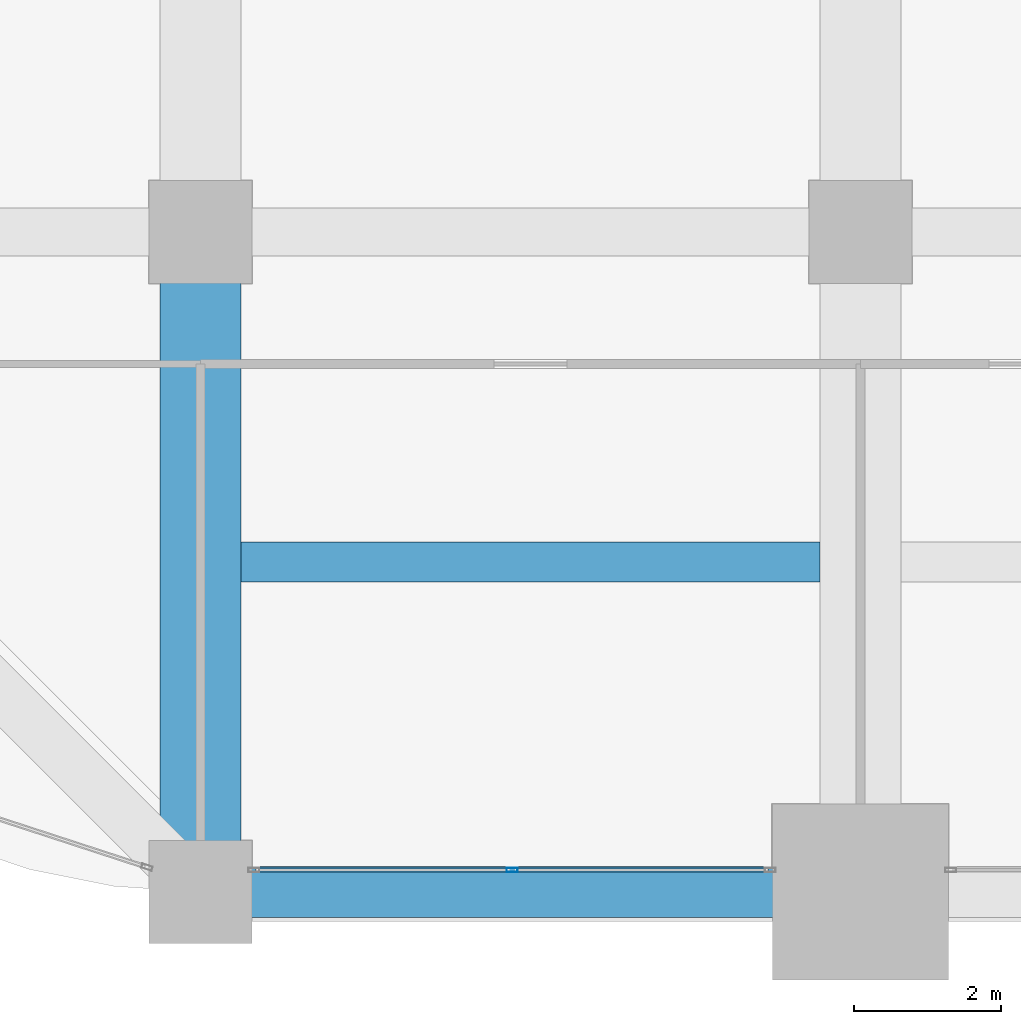
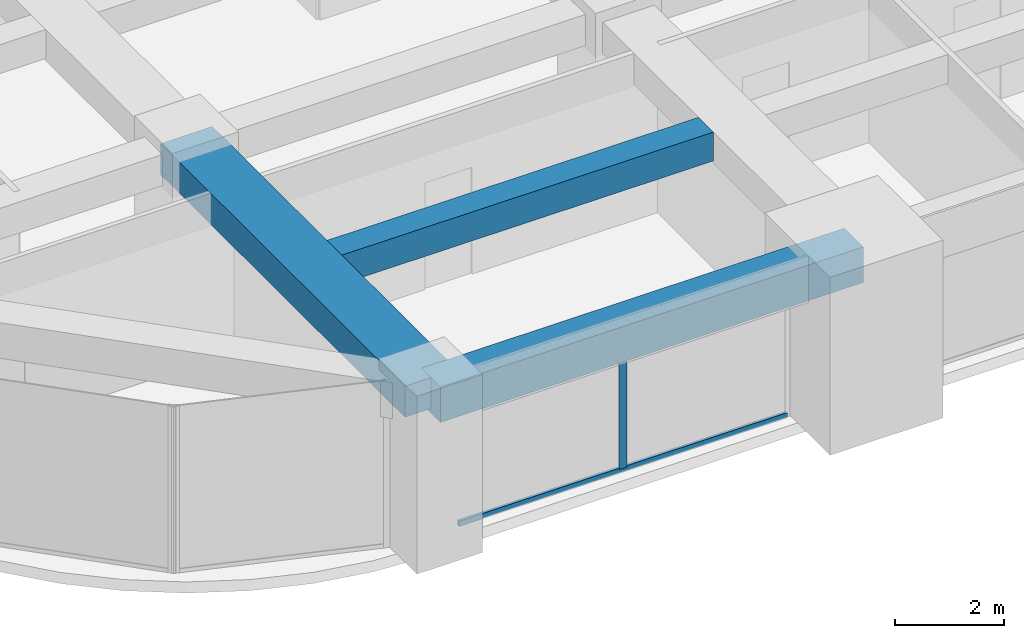
# One storey, part 3 of 34: 3 beams, 2 members, 1 element without a shape of its own.
"""IFC4 building model written with IfcOpenShell, lengths in metres."""

from ifc_helpers import new_model, si_unit, direction, frame, origin, origin_2d, place, context, subcontext, project, spatial, rectangle, hollow_rectangle, extrude, material, material_profile, profile_set, type_object, element, aggregate, save


model = new_model("IFC4")

# Units and contexts
model_context = context("Model", 3, precision=1e-05, world=origin(), true_north=direction((0.0, 1.0)))
body_context = subcontext(model_context, "Body", "Model", "MODEL_VIEW")
ifc_project = project(units=[si_unit("LENGTHUNIT", "METRE"), si_unit("AREAUNIT", "SQUARE_METRE"), si_unit("VOLUMEUNIT", "CUBIC_METRE"), si_unit("PLANEANGLEUNIT", "RADIAN"), si_unit("MASSUNIT", "GRAM", prefix="KILO")], contexts=[model_context])

# Site, building, storey
site_placement = place(None, origin())
site = spatial("IfcSite", under=ifc_project, at=site_placement, CompositionType="ELEMENT")
building_placement = place(site_placement, origin())
building = spatial("IfcBuilding", under=site, at=building_placement, Name="Zorevar Civic Tower", CompositionType="ELEMENT")
storey_placement = place(building_placement, frame((0.0, 0.0, 214.199951171875)))
storey = spatial("IfcBuildingStorey", under=building, at=storey_placement, Name="L52", CompositionType="ELEMENT", Elevation=214.199951171875)

# Beams
ifc_material_1 = material(Name="Concrete C50/60", Category="concrete")
ifc_material_profile_1 = material_profile(ifc_material_1, rectangle(XDim=1.10009765625, YDim=0.699951171875, at=origin_2d()), Name="RC 1100x700")
ifc_profile_set_1 = profile_set([ifc_material_profile_1], Name="Concrete C50/60")
beam_type_1 = type_object("IfcBeamType", Name="Beam RC 1100x700", PredefinedType="BEAM", material=ifc_profile_set_1)
beam_1_placement = place(storey_placement, frame((9.0, 0.0, 3.400146484375), z_axis=(0.0, 1.0, 0.0), x_axis=(-1.0, 0.0, 0.0)))
element("IfcBeam", 1, at=beam_1_placement, inside=storey, type_object=beam_type_1, Name="Girder L53", PredefinedType="BEAM", context=body_context, shape_type="SweptSolid", body=[
    extrude(rectangle(XDim=1.10009765625, YDim=0.699951171875, at=origin_2d()), origin(), (0.0, 0.0, 1.0), 9.0),
])
ifc_material_2 = material(Name="Concrete C50/60", Category="concrete")
ifc_material_profile_2 = material_profile(ifc_material_2, rectangle(XDim=0.550048828125, YDim=0.64990234375, at=origin_2d()), Name="RC 550x650")
ifc_profile_set_2 = profile_set([ifc_material_profile_2], Name="Concrete C50/60")
beam_type_2 = type_object("IfcBeamType", Name="Beam RC 550x650", PredefinedType="BEAM", material=ifc_profile_set_2)
beam_2_placement = place(storey_placement, frame((9.550048828125, 4.5, 3.425048828125), z_axis=(1.0, 0.0, 0.0), x_axis=(0.0, 1.0, 0.0)))
element("IfcBeam", 2, at=beam_2_placement, inside=storey, type_object=beam_type_2, Name="Secondary beam L53", PredefinedType="BEAM", context=body_context, shape_type="SweptSolid", body=[
    extrude(rectangle(XDim=0.550048828125, YDim=0.64990234375, at=origin_2d()), origin(), (0.0, 0.0, 1.0), 7.89990234375),
])

# Curtain wall, members
ifc_material_3 = material(Name="Dark grey solar-control glass in black aluminium frame", Category="aluminium")
curtain_wall_type = type_object("IfcCurtainWallType", Name="Curtain wall CW4 high zone", PredefinedType="NOTDEFINED", material=ifc_material_3)
curtain_wall_placement = place(storey_placement, origin())
curtain_wall = element("IfcCurtainWall", 3, at=curtain_wall_placement, inside=storey, type_object=curtain_wall_type, Name="CW4 L52", PredefinedType="NOTDEFINED")
ifc_material_4 = material(Name="Aluminium, black anodised", Category="aluminium")
ifc_material_profile_3 = material_profile(ifc_material_4, hollow_rectangle(XDim=0.06005859375, YDim=0.14990234375, WallThickness=0.00390625, at=origin_2d()), Name="AL 150x60x4")
ifc_profile_set_3 = profile_set([ifc_material_profile_3], Name="Aluminium, black anodised")
member_type_1 = type_object("IfcMemberType", Name="CW4 mullion AL 150x60x4", PredefinedType="MULLION", material=ifc_profile_set_3)
member_1_placement = place(storey_placement, frame((13.25, 0.300048828125, 0.06005859375), z_axis=(0.0, 0.0, 1.0), x_axis=(0.0, 1.0, 0.0)))
member_1 = element("IfcMember", 4, at=member_1_placement, type_object=member_type_1, Name="CW4 mullion 2", PredefinedType="MULLION", context=body_context, shape_type="SweptSolid", body=[
    extrude(hollow_rectangle(XDim=0.06005859375, YDim=0.14990234375, WallThickness=0.00390625, at=origin_2d()), origin(), (0.0, 0.0, 1.0), 2.889892578125),
])
ifc_material_5 = material(Name="Aluminium, black anodised", Category="aluminium")
ifc_material_profile_4 = material_profile(ifc_material_5, hollow_rectangle(XDim=0.06005859375, YDim=0.1201171875, WallThickness=0.0029296875, at=origin_2d()), Name="AL 120x60x3")
ifc_profile_set_4 = profile_set([ifc_material_profile_4], Name="Aluminium, black anodised")
member_type_2 = type_object("IfcMemberType", Name="CW4 transom AL 120x60x3", PredefinedType="USERDEFINED", material=ifc_profile_set_4)
member_2_placement = place(storey_placement, frame((9.760009765625, 0.300048828125, 0.030029296875), z_axis=(1.0, 0.0, 0.0), x_axis=(0.0, 1.0, 0.0)))
member_2 = element("IfcMember", 5, at=member_2_placement, type_object=member_type_2, Name="CW4 sill transom", ObjectType="TRANSOM", PredefinedType="USERDEFINED", context=body_context, shape_type="SweptSolid", body=[
    extrude(hollow_rectangle(XDim=0.06005859375, YDim=0.1201171875, WallThickness=0.0029296875, at=origin_2d()), origin(), (0.0, 0.0, 1.0), 6.97998046875),
])
aggregate(curtain_wall, [member_1, member_2])

# Beam
ifc_material_6 = material(Name="Concrete C50/60", Category="concrete")
ifc_material_profile_5 = material_profile(ifc_material_6, rectangle(XDim=0.699951171875, YDim=0.800048828125, at=origin_2d()), Name="RC 700x800")
ifc_profile_set_5 = profile_set([ifc_material_profile_5], Name="Concrete C50/60")
beam_type_3 = type_object("IfcBeamType", Name="Edge beam RC 700x800", PredefinedType="SPANDREL", material=ifc_profile_set_5)
beam_3_placement = place(storey_placement, frame((9.0, 0.0, 3.35009765625), z_axis=(1.0, 0.0, 0.0), x_axis=(0.0, 1.0, 0.0)))
element("IfcBeam", 6, at=beam_3_placement, inside=storey, type_object=beam_type_3, Name="Edge beam L53", PredefinedType="SPANDREL", context=body_context, shape_type="SweptSolid", body=[
    extrude(rectangle(XDim=0.699951171875, YDim=0.800048828125, at=origin_2d()), origin(), (0.0, 0.0, 1.0), 9.0),
])

save(model, "model.ifc")
